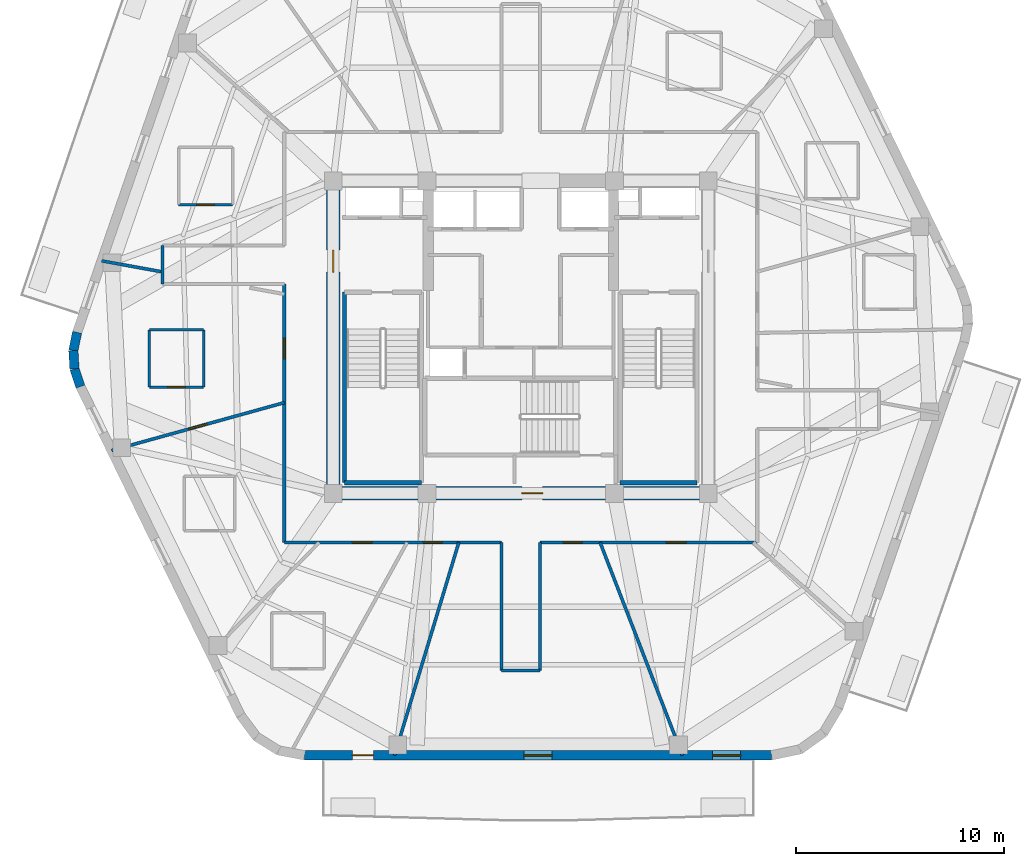
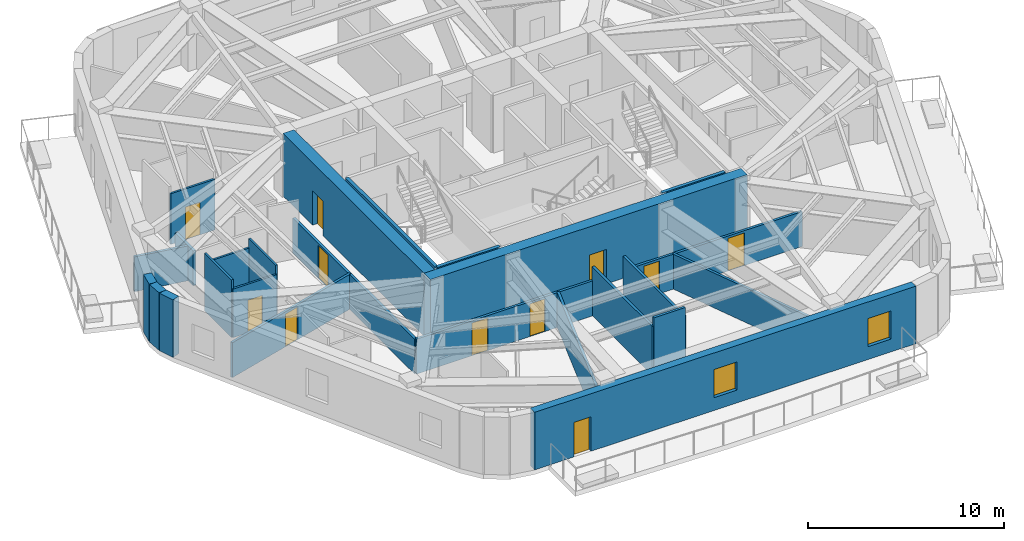
# One storey, part 3 of 9: 25 walls, 11 doors, 2 windows, 13 openings.
"""IFC4 building model written with IfcOpenShell, lengths in metres."""

from ifc_helpers import new_model, si_unit, direction, frame, frame_2d, origin, place, context, subcontext, project, spatial, rectangle, extrude, material, layer, layer_set, type_object, element, fill, save


model = new_model("IFC4")

# Units and contexts
model_context = context("Model", 3, precision=1e-05, world=origin(), true_north=direction((0.0, 1.0)))
body_context = subcontext(model_context, "Body", "Model", "MODEL_VIEW")
ifc_project = project(units=[si_unit("LENGTHUNIT", "METRE"), si_unit("AREAUNIT", "SQUARE_METRE"), si_unit("VOLUMEUNIT", "CUBIC_METRE"), si_unit("PLANEANGLEUNIT", "RADIAN"), si_unit("MASSUNIT", "GRAM", prefix="KILO")], contexts=[model_context])

# Site, building, storey
site_placement = place(None, origin())
site = spatial("IfcSite", under=ifc_project, at=site_placement, CompositionType="ELEMENT")
building_placement = place(site_placement, origin())
building = spatial("IfcBuilding", under=site, at=building_placement, Name="Kilnhurst Terrace Hotel", CompositionType="ELEMENT")
storey_placement = place(building_placement, frame((0.0, 0.0, 301.5)))
storey = spatial("IfcBuildingStorey", under=building, at=storey_placement, Name="L75", CompositionType="ELEMENT", Elevation=301.5)

# Walls
ifc_material_1 = material(Name="Precast concrete C40/50", Category="concrete")
ifc_layer_1 = layer(ifc_material_1, 0.449951171875, Name="Precast concrete C40/50")
ifc_layer_set_1 = layer_set([ifc_layer_1], Name="Precast concrete C40/50")
wall_type_1 = type_object("IfcWallType", Name="WL-BRK-450", PredefinedType="SOLIDWALL", material=ifc_layer_set_1)
wall_1_placement = place(storey_placement, frame((-21.297607421875, 0.2333984375, 0.0), z_axis=(0.0, 0.0, 1.0), x_axis=(-0.199158176661, -0.979967356941, 0.0)))
element("IfcWall", 1, at=wall_1_placement, inside=storey, type_object=wall_type_1, Name="L75 Rounded Corner Brick Wall C6.1", PredefinedType="SOLIDWALL", context=body_context, shape_type="SweptSolid", body=[
    extrude(rectangle(XDim=0.894775390625, YDim=0.449951171875, at=frame_2d((0.447265625, 0.0))), origin(), (0.0, 0.0, 1.0), 3.580078125),
])
wall_2_placement = place(storey_placement, frame((-21.475830078125, -0.6435546875, 0.0), z_axis=(0.0, 0.0, 1.0), x_axis=(0.061031097918, -0.998135865044, 0.0)))
element("IfcWall", 2, at=wall_2_placement, inside=storey, type_object=wall_type_1, Name="L75 Rounded Corner Brick Wall C6.2", PredefinedType="SOLIDWALL", context=body_context, shape_type="SweptSolid", body=[
    extrude(rectangle(XDim=0.880126953125, YDim=0.449951171875, at=frame_2d((0.43994140625, 0.0))), origin(), (0.0, 0.0, 1.0), 3.580078125),
])
wall_3_placement = place(storey_placement, frame((-21.422119140625, -1.52197265625, 0.0), z_axis=(0.0, 0.0, 1.0), x_axis=(0.316964162323, -0.94843751497, 0.0)))
element("IfcWall", 3, at=wall_3_placement, inside=storey, type_object=wall_type_1, Name="L75 Rounded Corner Brick Wall C6.3", PredefinedType="SOLIDWALL", context=body_context, shape_type="SweptSolid", body=[
    extrude(rectangle(XDim=0.89501953125, YDim=0.449951171875, at=frame_2d((0.447509765625, 0.0))), origin(), (0.0, 0.0, 1.0), 3.580078125),
])

# Wall, openings, door, windows
wall_4_placement = place(storey_placement, frame((-10.37890625, -20.074951171875, 0.0), z_axis=(0.0, 0.0, 1.0), x_axis=(1.0, 0.0, 0.0)))
wall_4 = element("IfcWall", 4, at=wall_4_placement, inside=storey, type_object=wall_type_1, Name="L75 Exterior Brick Facade Wall F1", PredefinedType="SOLIDWALL", context=body_context, shape_type="SweptSolid", body=[
    extrude(rectangle(XDim=22.417236328125, YDim=0.449951171875, at=frame_2d((11.20849609375, 0.0))), origin(), (0.0, 0.0, 1.0), 3.580078125),
])
opening_1_placement = place(wall_4_placement, frame((2.302001953125, 0.0, 0.0)))
opening_1 = element("IfcOpeningElement", 5, at=opening_1_placement, cuts=wall_4, Name="Opening BD-1000", PredefinedType="OPENING", context=body_context, shape_type="SweptSolid", body=[
    extrude(rectangle(XDim=1.0, YDim=2.14990234375, at=frame_2d((0.5, 1.074951171875))), frame((0.0, 0.23486328125, 0.0), z_axis=(0.0, -1.0, 0.0), x_axis=(1.0, 0.0, 0.0)), (0.0, 0.0, 1.0), 0.469970703125),
])
opening_2_placement = place(wall_4_placement, frame((10.533935546875, 0.0, 0.800048828125)))
opening_2 = element("IfcOpeningElement", 6, at=opening_2_placement, cuts=wall_4, Name="Opening W-06", PredefinedType="OPENING", context=body_context, shape_type="SweptSolid", body=[
    extrude(rectangle(XDim=1.35009765625, YDim=1.75, at=frame_2d((0.675048828125, 0.875))), frame((0.0, 0.23486328125, 0.0), z_axis=(0.0, -1.0, 0.0), x_axis=(1.0, 0.0, 0.0)), (0.0, 0.0, 1.0), 0.469970703125),
])
opening_3_placement = place(wall_4_placement, frame((19.5869140625, 0.0, 0.800048828125)))
opening_3 = element("IfcOpeningElement", 7, at=opening_3_placement, cuts=wall_4, Name="Opening W-06", PredefinedType="OPENING", context=body_context, shape_type="SweptSolid", body=[
    extrude(rectangle(XDim=1.35009765625, YDim=1.75, at=frame_2d((0.675048828125, 0.875))), frame((0.0, 0.23486328125, 0.0), z_axis=(0.0, -1.0, 0.0), x_axis=(1.0, 0.0, 0.0)), (0.0, 0.0, 1.0), 0.469970703125),
])
ifc_material_2 = material(Name="Thermally Broken Bronze Aluminium Alloy 6063-T6 and Laminated Glass", Category="aluminium")
door_type_1 = type_object("IfcDoorType", Name="DR-EXT-BAL-1000", OperationType="NOTDEFINED", PredefinedType="DOOR", material=ifc_material_2)
door_1_placement = place(opening_1_placement, origin())
door_1 = element("IfcDoor", 8, at=door_1_placement, inside=storey, type_object=door_type_1, Name="L75 Planted Balcony Door BAL-L1A", OperationType="SINGLE_SWING_LEFT", OverallHeight=2.14990234375, OverallWidth=1.0, PredefinedType="DOOR", context=body_context, shape_type="SweptSolid", body=[
    extrude(rectangle(XDim=1.0, YDim=2.14990234375, at=frame_2d((0.5, 1.074951171875))), frame((0.0, 0.02490234375, 0.0), z_axis=(0.0, -1.0, 0.0), x_axis=(1.0, 0.0, 0.0)), (0.0, 0.0, 1.0), 0.050048828125),
])
fill(opening_1, door_1)
ifc_material_3 = material(Name="Thermally Broken Bronze Aluminium Alloy 6063-T6 and Low-E Glass", Category="aluminium")
window_type = type_object("IfcWindowType", Name="WIN-1350X1750", PartitioningType="SINGLE_PANEL", PredefinedType="WINDOW", material=ifc_material_3)
window_1_placement = place(opening_2_placement, origin())
window_1 = element("IfcWindow", 9, at=window_1_placement, inside=storey, type_object=window_type, Name="L75 Deep-Set Masonry Window F1.1", OverallHeight=1.75, OverallWidth=1.35009765625, PartitioningType="SINGLE_PANEL", PredefinedType="WINDOW", context=body_context, shape_type="SweptSolid", body=[
    extrude(rectangle(XDim=1.35009765625, YDim=1.75, at=frame_2d((0.675048828125, 0.875))), frame((0.0, 0.030029296875, 0.0), z_axis=(0.0, -1.0, 0.0), x_axis=(1.0, 0.0, 0.0)), (0.0, 0.0, 1.0), 0.06005859375),
])
fill(opening_2, window_1)
window_2_placement = place(opening_3_placement, origin())
window_2 = element("IfcWindow", 10, at=window_2_placement, inside=storey, type_object=window_type, Name="L75 Deep-Set Masonry Window F1.2", OverallHeight=1.75, OverallWidth=1.35009765625, PartitioningType="SINGLE_PANEL", PredefinedType="WINDOW", context=body_context, shape_type="SweptSolid", body=[
    extrude(rectangle(XDim=1.35009765625, YDim=1.75, at=frame_2d((0.675048828125, 0.875))), frame((0.0, 0.030029296875, 0.0), z_axis=(0.0, -1.0, 0.0), x_axis=(1.0, 0.0, 0.0)), (0.0, 0.0, 1.0), 0.06005859375),
])
fill(opening_3, window_2)

# Wall, opening, door
ifc_material_4 = material(Name="Acoustic Double-Gypsum Corridor Partition Assembly")
ifc_layer_2 = layer(ifc_material_4, 0.14990234375, Name="Acoustic Double-Gypsum Corridor Partition Assembly")
ifc_layer_set_2 = layer_set([ifc_layer_2], Name="Acoustic Double-Gypsum Corridor Partition Assembly")
wall_type_2 = type_object("IfcWallType", Name="WL-COR-150", PredefinedType="PARTITIONING", material=ifc_layer_set_2)
wall_5_placement = place(storey_placement, frame((-11.35009765625, -9.85009765625, 0.0), z_axis=(0.0, 0.0, 1.0), x_axis=(0.0, 1.0, 0.0)))
wall_5 = element("IfcWall", 11, at=wall_5_placement, inside=storey, type_object=wall_type_2, Name="L75 Interior Wall WL-L75-COR-01", PredefinedType="PARTITIONING", context=body_context, shape_type="SweptSolid", body=[
    extrude(rectangle(XDim=12.400146484375, YDim=0.14990234375, at=frame_2d((6.2001953125, 0.0))), origin(), (0.0, 0.0, 1.0), 2.169921875),
])
opening_4_placement = place(wall_5_placement, frame((8.81005859375, 0.0, 0.0)))
opening_4 = element("IfcOpeningElement", 12, at=opening_4_placement, cuts=wall_5, Name="Opening D-60A", PredefinedType="OPENING", context=body_context, shape_type="SweptSolid", body=[
    extrude(rectangle(XDim=1.0, YDim=2.030029296875, at=frame_2d((0.5, 1.01513671875))), frame((0.0, 0.0849609375, 0.0), z_axis=(0.0, -1.0, 0.0), x_axis=(1.0, 0.0, 0.0)), (0.0, 0.0, 1.0), 0.169921875),
])
ifc_material_5 = material(Name="Acoustic Walnut Veneer Solid-Core Fire Door")
door_type_2 = type_object("IfcDoorType", Name="DR-FD60-1000", OperationType="NOTDEFINED", PredefinedType="DOOR", material=ifc_material_5)
door_2_placement = place(opening_4_placement, origin())
door_2 = element("IfcDoor", 13, at=door_2_placement, inside=storey, type_object=door_type_2, Name="L75 Sky Residence Entry Door 8", OperationType="SINGLE_SWING_RIGHT", OverallHeight=2.030029296875, OverallWidth=1.0, PredefinedType="DOOR", context=body_context, shape_type="SweptSolid", body=[
    extrude(rectangle(XDim=1.0, YDim=2.030029296875, at=frame_2d((0.5, 1.01513671875))), frame((0.0, 0.02490234375, 0.0), z_axis=(0.0, -1.0, 0.0), x_axis=(1.0, 0.0, 0.0)), (0.0, 0.0, 1.0), 0.050048828125),
])
fill(opening_4, door_2)

# Wall
wall_6_placement = place(storey_placement, frame((-17.199951171875, 2.550048828125, 0.0), z_axis=(0.0, 0.0, 1.0), x_axis=(0.0, 1.0, 0.0)))
element("IfcWall", 14, at=wall_6_placement, inside=storey, type_object=wall_type_2, Name="L75 Interior Wall WL-L75-COR-03", PredefinedType="PARTITIONING", context=body_context, shape_type="SweptSolid", body=[
    extrude(rectangle(XDim=1.849853515625, YDim=0.14990234375, at=frame_2d((0.9248046875, 0.0))), origin(), (0.0, 0.0, 1.0), 2.169921875),
])

# Wall, openings, doors
wall_7_placement = place(storey_placement, frame((11.35009765625, -9.85009765625, 0.0), z_axis=(0.0, 0.0, 1.0), x_axis=(-1.0, 0.0, 0.0)))
wall_7 = element("IfcWall", 15, at=wall_7_placement, inside=storey, type_object=wall_type_2, Name="L75 Interior Wall WL-L75-COR-16", PredefinedType="PARTITIONING", context=body_context, shape_type="SweptSolid", body=[
    extrude(rectangle(XDim=10.43017578125, YDim=0.14990234375, at=frame_2d((5.215087890625, 0.0))), origin(), (0.0, 0.0, 1.0), 2.169921875),
])
opening_5_placement = place(wall_7_placement, frame((8.406982421875, 0.0, 0.0)))
opening_5 = element("IfcOpeningElement", 16, at=opening_5_placement, cuts=wall_7, Name="Opening D-60C", PredefinedType="OPENING", context=body_context, shape_type="SweptSolid", body=[
    extrude(rectangle(XDim=0.89990234375, YDim=2.030029296875, at=frame_2d((0.449951171875, 1.01513671875))), frame((0.0, 0.0849609375, 0.0), z_axis=(0.0, -1.0, 0.0), x_axis=(1.0, 0.0, 0.0)), (0.0, 0.0, 1.0), 0.169921875),
])
opening_6_placement = place(wall_7_placement, frame((3.416015625, 0.0, 0.0)))
opening_6 = element("IfcOpeningElement", 17, at=opening_6_placement, cuts=wall_7, Name="Opening D-60B", PredefinedType="OPENING", context=body_context, shape_type="SweptSolid", body=[
    extrude(rectangle(XDim=0.949951171875, YDim=2.030029296875, at=frame_2d((0.47509765625, 1.01513671875))), frame((0.0, 0.0849609375, 0.0), z_axis=(0.0, -1.0, 0.0), x_axis=(1.0, 0.0, 0.0)), (0.0, 0.0, 1.0), 0.169921875),
])
ifc_material_6 = material(Name="Painted Solid-Core Service Fire Door")
door_type_3 = type_object("IfcDoorType", Name="DR-FD60-900", OperationType="NOTDEFINED", PredefinedType="DOOR", material=ifc_material_6)
door_3_placement = place(opening_5_placement, origin())
door_3 = element("IfcDoor", 18, at=door_3_placement, inside=storey, type_object=door_type_3, Name="L75 Wellness Consultation Room Door 12", OperationType="SINGLE_SWING_RIGHT", OverallHeight=2.030029296875, OverallWidth=0.89990234375, PredefinedType="DOOR", context=body_context, shape_type="SweptSolid", body=[
    extrude(rectangle(XDim=0.89990234375, YDim=2.030029296875, at=frame_2d((0.449951171875, 1.01513671875))), frame((0.0, 0.02490234375, 0.0), z_axis=(0.0, -1.0, 0.0), x_axis=(1.0, 0.0, 0.0)), (0.0, 0.0, 1.0), 0.050048828125),
])
fill(opening_5, door_3)
door_type_4 = type_object("IfcDoorType", Name="DR-FD60-950", OperationType="NOTDEFINED", PredefinedType="DOOR", material=ifc_material_5)
door_4_placement = place(opening_6_placement, origin())
door_4 = element("IfcDoor", 19, at=door_4_placement, inside=storey, type_object=door_type_4, Name="L75 Summit Horizon Club Lounge Door", OperationType="SINGLE_SWING_LEFT", OverallHeight=2.030029296875, OverallWidth=0.949951171875, PredefinedType="DOOR", context=body_context, shape_type="SweptSolid", body=[
    extrude(rectangle(XDim=0.949951171875, YDim=2.030029296875, at=frame_2d((0.47509765625, 1.01513671875))), frame((0.0, 0.02490234375, 0.0), z_axis=(0.0, -1.0, 0.0), x_axis=(1.0, 0.0, 0.0)), (0.0, 0.0, 1.0), 0.050048828125),
])
fill(opening_6, door_4)

# Walls
wall_8_placement = place(storey_placement, frame((0.919921875, -9.85009765625, 0.0), z_axis=(0.0, 0.0, 1.0), x_axis=(0.0, -1.0, 0.0)))
element("IfcWall", 20, at=wall_8_placement, inside=storey, type_object=wall_type_2, Name="L75 Interior Wall WL-L75-COR-17", PredefinedType="PARTITIONING", context=body_context, shape_type="SweptSolid", body=[
    extrude(rectangle(XDim=6.14990234375, YDim=0.14990234375, at=frame_2d((3.074951171875, 0.0))), origin(), (0.0, 0.0, 1.0), 3.0205078125),
])
wall_9_placement = place(storey_placement, frame((0.919921875, -16.0, 0.0), z_axis=(0.0, 0.0, 1.0), x_axis=(-1.0, 0.0, 0.0)))
element("IfcWall", 21, at=wall_9_placement, inside=storey, type_object=wall_type_2, Name="L75 Interior Wall WL-L75-COR-18", PredefinedType="PARTITIONING", context=body_context, shape_type="SweptSolid", body=[
    extrude(rectangle(XDim=1.83984375, YDim=0.14990234375, at=frame_2d((0.919921875, 0.0))), origin(), (0.0, 0.0, 1.0), 3.580078125),
])
wall_10_placement = place(storey_placement, frame((-0.919921875, -16.0, 0.0), z_axis=(0.0, 0.0, 1.0), x_axis=(0.0, 1.0, 0.0)))
element("IfcWall", 22, at=wall_10_placement, inside=storey, type_object=wall_type_2, Name="L75 Interior Wall WL-L75-COR-19", PredefinedType="PARTITIONING", context=body_context, shape_type="SweptSolid", body=[
    extrude(rectangle(XDim=6.14990234375, YDim=0.14990234375, at=frame_2d((3.074951171875, 0.0))), origin(), (0.0, 0.0, 1.0), 3.0205078125),
])

# Wall, openings, doors
wall_11_placement = place(storey_placement, frame((-0.919921875, -9.85009765625, 0.0), z_axis=(0.0, 0.0, 1.0), x_axis=(-1.0, 0.0, 0.0)))
wall_11 = element("IfcWall", 23, at=wall_11_placement, inside=storey, type_object=wall_type_2, Name="L75 Interior Wall WL-L75-COR-20", PredefinedType="PARTITIONING", context=body_context, shape_type="SweptSolid", body=[
    extrude(rectangle(XDim=10.43017578125, YDim=0.14990234375, at=frame_2d((5.215087890625, 0.0))), origin(), (0.0, 0.0, 1.0), 2.169921875),
])
opening_7_placement = place(wall_11_placement, frame((6.216064453125, 0.0, 0.0)))
opening_7 = element("IfcOpeningElement", 24, at=opening_7_placement, cuts=wall_11, Name="Opening D-60B", PredefinedType="OPENING", context=body_context, shape_type="SweptSolid", body=[
    extrude(rectangle(XDim=0.949951171875, YDim=2.030029296875, at=frame_2d((0.47509765625, 1.01513671875))), frame((0.0, 0.0849609375, 0.0), z_axis=(0.0, -1.0, 0.0), x_axis=(1.0, 0.0, 0.0)), (0.0, 0.0, 1.0), 0.169921875),
])
opening_8_placement = place(wall_11_placement, frame((2.860107421875, 0.0, 0.0)))
opening_8 = element("IfcOpeningElement", 25, at=opening_8_placement, cuts=wall_11, Name="Opening D-60C", PredefinedType="OPENING", context=body_context, shape_type="SweptSolid", body=[
    extrude(rectangle(XDim=0.89990234375, YDim=2.030029296875, at=frame_2d((0.449951171875, 1.01513671875))), frame((0.0, 0.0849609375, 0.0), z_axis=(0.0, -1.0, 0.0), x_axis=(1.0, 0.0, 0.0)), (0.0, 0.0, 1.0), 0.169921875),
])
door_5_placement = place(opening_8_placement, origin())
door_5 = element("IfcDoor", 26, at=door_5_placement, inside=storey, type_object=door_type_3, Name="L75 Private Meeting Salon Door 11", OperationType="SINGLE_SWING_LEFT", OverallHeight=2.030029296875, OverallWidth=0.89990234375, PredefinedType="DOOR", context=body_context, shape_type="SweptSolid", body=[
    extrude(rectangle(XDim=0.89990234375, YDim=2.030029296875, at=frame_2d((0.449951171875, 1.01513671875))), frame((0.0, 0.02490234375, 0.0), z_axis=(0.0, -1.0, 0.0), x_axis=(1.0, 0.0, 0.0)), (0.0, 0.0, 1.0), 0.050048828125),
])
fill(opening_8, door_5)
door_6_placement = place(opening_7_placement, origin())
door_6 = element("IfcDoor", 27, at=door_6_placement, inside=storey, type_object=door_type_4, Name="L75 Guest Room Entry Door 10", OperationType="SINGLE_SWING_RIGHT", OverallHeight=2.030029296875, OverallWidth=0.949951171875, PredefinedType="DOOR", context=body_context, shape_type="SweptSolid", body=[
    extrude(rectangle(XDim=0.949951171875, YDim=2.030029296875, at=frame_2d((0.47509765625, 1.01513671875))), frame((0.0, 0.02490234375, 0.0), z_axis=(0.0, -1.0, 0.0), x_axis=(1.0, 0.0, 0.0)), (0.0, 0.0, 1.0), 0.050048828125),
])
fill(opening_7, door_6)

# Wall, opening, door
ifc_material_7 = material(Name="Concrete C60/75", Category="concrete")
ifc_layer_3 = layer(ifc_material_7, 0.64990234375, Name="Concrete C60/75")
ifc_layer_set_3 = layer_set([ifc_layer_3], Name="Concrete C60/75")
wall_type_3 = type_object("IfcWallType", Name="WL-CORE-650", PredefinedType="SHEAR", material=ifc_layer_set_3)
wall_12_placement = place(storey_placement, frame((-9.324951171875, -7.5, 0.0), z_axis=(0.0, 0.0, 1.0), x_axis=(1.0, 0.0, 0.0)))
wall_12 = element("IfcWall", 28, at=wall_12_placement, inside=storey, type_object=wall_type_3, Name="L75 Core South Shear Wall", PredefinedType="SHEAR", context=body_context, shape_type="SweptSolid", body=[
    extrude(rectangle(XDim=18.64990234375, YDim=0.64990234375, at=frame_2d((9.324951171875, 0.0))), origin(), (0.0, 0.0, 1.0), 3.89990234375),
])
opening_9_placement = place(wall_12_placement, frame((9.375, 0.0, 0.0)))
opening_9 = element("IfcOpeningElement", 29, at=opening_9_placement, cuts=wall_12, Name="Opening D-90B", PredefinedType="OPENING", context=body_context, shape_type="SweptSolid", body=[
    extrude(rectangle(XDim=1.0, YDim=2.14990234375, at=frame_2d((0.5, 1.074951171875))), frame((0.0, 0.3349609375, 0.0), z_axis=(0.0, -1.0, 0.0), x_axis=(1.0, 0.0, 0.0)), (0.0, 0.0, 1.0), 0.669921875),
])
ifc_material_8 = material(Name="Painted Hollow Metal Steel ASTM A36 Fire Door", Category="steel")
door_type_5 = type_object("IfcDoorType", Name="DR-FD90-1000", OperationType="NOTDEFINED", PredefinedType="DOOR", material=ifc_material_8)
door_7_placement = place(opening_9_placement, origin())
door_7 = element("IfcDoor", 30, at=door_7_placement, inside=storey, type_object=door_type_5, Name="L75 Stair ST-3 Corridor Door", OperationType="SINGLE_SWING_RIGHT", OverallHeight=2.14990234375, OverallWidth=1.0, PredefinedType="DOOR", context=body_context, shape_type="SweptSolid", body=[
    extrude(rectangle(XDim=1.0, YDim=2.14990234375, at=frame_2d((0.5, 1.074951171875))), frame((0.0, 0.02490234375, 0.0), z_axis=(0.0, -1.0, 0.0), x_axis=(1.0, 0.0, 0.0)), (0.0, 0.0, 1.0), 0.050048828125),
])
fill(opening_9, door_7)

wall_13_placement = place(storey_placement, frame((-9.0, -7.175048828125, 0.0), z_axis=(0.0, 0.0, 1.0), x_axis=(0.0, 1.0, 0.0)))
wall_13 = element("IfcWall", 31, at=wall_13_placement, inside=storey, type_object=wall_type_3, Name="L75 Core West Shear Wall", PredefinedType="SHEAR", context=body_context, shape_type="SweptSolid", body=[
    extrude(rectangle(XDim=14.35009765625, YDim=0.64990234375, at=frame_2d((7.175048828125, 0.0))), origin(), (0.0, 0.0, 1.0), 3.89990234375),
])
opening_10_placement = place(wall_13_placement, frame((10.300048828125, 0.0, 0.0)))
opening_10 = element("IfcOpeningElement", 32, at=opening_10_placement, cuts=wall_13, Name="Opening D-90A", PredefinedType="OPENING", context=body_context, shape_type="SweptSolid", body=[
    extrude(rectangle(XDim=1.050048828125, YDim=2.14990234375, at=frame_2d((0.52490234375, 1.074951171875))), frame((0.0, 0.3349609375, 0.0), z_axis=(0.0, -1.0, 0.0), x_axis=(1.0, 0.0, 0.0)), (0.0, 0.0, 1.0), 0.669921875),
])
door_type_6 = type_object("IfcDoorType", Name="DR-FD90-1050", OperationType="NOTDEFINED", PredefinedType="DOOR", material=ifc_material_8)
door_8_placement = place(opening_10_placement, origin())
door_8 = element("IfcDoor", 33, at=door_8_placement, inside=storey, type_object=door_type_6, Name="L75 West Firefighting Lobby Door", OperationType="SINGLE_SWING_RIGHT", OverallHeight=2.14990234375, OverallWidth=1.050048828125, PredefinedType="DOOR", context=body_context, shape_type="SweptSolid", body=[
    extrude(rectangle(XDim=1.050048828125, YDim=2.14990234375, at=frame_2d((0.52490234375, 1.074951171875))), frame((0.0, 0.02490234375, 0.0), z_axis=(0.0, -1.0, 0.0), x_axis=(1.0, 0.0, 0.0)), (0.0, 0.0, 1.0), 0.050048828125),
])
fill(opening_10, door_8)

# Wall
ifc_material_9 = material(Name="STC-58 Acoustic Twin-Frame Guestroom Demising Partition")
ifc_layer_4 = layer(ifc_material_9, 0.14990234375, Name="STC-58 Acoustic Twin-Frame Guestroom Demising Partition")
ifc_layer_set_4 = layer_set([ifc_layer_4], Name="STC-58 Acoustic Twin-Frame Guestroom Demising Partition")
wall_type_4 = type_object("IfcWallType", Name="WL-DEM-150", PredefinedType="PARTITIONING", material=ifc_layer_set_4)
wall_14_placement = place(storey_placement, frame((-17.199951171875, 3.132568359375, 0.0), z_axis=(0.0, 0.0, 1.0), x_axis=(-0.983817168797, 0.179175272791, 0.0)))
element("IfcWall", 34, at=wall_14_placement, inside=storey, type_object=wall_type_4, Name="L75 Interior Wall WL-L75-DEM-COL06-08-2", PredefinedType="PARTITIONING", context=body_context, shape_type="SweptSolid", body=[
    extrude(rectangle(XDim=2.965087890625, YDim=0.14990234375, at=frame_2d((1.482421875, 0.0))), origin(), (0.0, 0.0, 1.0), 2.169921875),
])

# Wall, opening, door
wall_15_placement = place(storey_placement, frame((-11.35009765625, -3.142822265625, 0.0), z_axis=(0.0, 0.0, 1.0), x_axis=(-0.963731818141, -0.266872596386, 0.0)))
wall_15 = element("IfcWall", 35, at=wall_15_placement, inside=storey, type_object=wall_type_4, Name="L75 Interior Wall WL-L75-DEM-COL07-09-1", PredefinedType="PARTITIONING", context=body_context, shape_type="SweptSolid", body=[
    extrude(rectangle(XDim=8.604736328125, YDim=0.14990234375, at=frame_2d((4.30224609375, 0.0))), origin(), (0.0, 0.0, 1.0), 2.169921875),
])
opening_11_placement = place(wall_15_placement, frame((3.85205078125, 0.0, 0.0)))
opening_11 = element("IfcOpeningElement", 36, at=opening_11_placement, cuts=wall_15, Name="Opening D-09B", PredefinedType="OPENING", context=body_context, shape_type="SweptSolid", body=[
    extrude(rectangle(XDim=0.89990234375, YDim=2.030029296875, at=frame_2d((0.449951171875, 1.01513671875))), frame((0.0, 0.0849609375, 0.0), z_axis=(0.0, -1.0, 0.0), x_axis=(1.0, 0.0, 0.0)), (0.0, 0.0, 1.0), 0.169921875),
])
ifc_material_10 = material(Name="Moisture-Resistant Solid-Core Restroom Door")
door_type_7 = type_object("IfcDoorType", Name="DR-INT-900", OperationType="NOTDEFINED", PredefinedType="DOOR", material=ifc_material_10)
door_9_placement = place(opening_11_placement, origin())
door_9 = element("IfcDoor", 37, at=door_9_placement, inside=storey, type_object=door_type_7, Name="L75 Sky Residence Bedroom Door 8", OperationType="SINGLE_SWING_RIGHT", OverallHeight=2.030029296875, OverallWidth=0.89990234375, PredefinedType="DOOR", context=body_context, shape_type="SweptSolid", body=[
    extrude(rectangle(XDim=0.89990234375, YDim=2.030029296875, at=frame_2d((0.449951171875, 1.01513671875))), frame((0.0, 0.02490234375, 0.0), z_axis=(0.0, -1.0, 0.0), x_axis=(1.0, 0.0, 0.0)), (0.0, 0.0, 1.0), 0.050048828125),
])
fill(opening_11, door_9)

# Walls
wall_16_placement = place(storey_placement, frame((-2.97216796875, -9.85009765625, 0.0), z_axis=(0.0, 0.0, 1.0), x_axis=(-0.288872169679, -0.957367677324, 0.0)))
element("IfcWall", 38, at=wall_16_placement, inside=storey, type_object=wall_type_4, Name="L75 Interior Wall WL-L75-DEM-COL09-12-1", PredefinedType="PARTITIONING", context=body_context, shape_type="SweptSolid", body=[
    extrude(rectangle(XDim=10.68017578125, YDim=0.14990234375, at=frame_2d((5.340087890625, 0.0))), origin(), (0.0, 0.0, 1.0), 2.169921875),
])
wall_17_placement = place(storey_placement, frame((3.8076171875, -9.85009765625, 0.0), z_axis=(0.0, 0.0, 1.0), x_axis=(0.360587327934, -0.932725457427, 0.0)))
element("IfcWall", 39, at=wall_17_placement, inside=storey, type_object=wall_type_4, Name="L75 Interior Wall WL-L75-DEM-COL10-13-1", PredefinedType="PARTITIONING", context=body_context, shape_type="SweptSolid", body=[
    extrude(rectangle(XDim=10.96240234375, YDim=0.14990234375, at=frame_2d((5.481201171875, 0.0))), origin(), (0.0, 0.0, 1.0), 2.169921875),
])

# Wall, opening, door
ifc_material_11 = material(Name="120 mm Moisture-Resistant Tile-Backed Bathroom Partition")
ifc_layer_5 = layer(ifc_material_11, 0.1201171875, Name="120 mm Moisture-Resistant Tile-Backed Bathroom Partition")
ifc_layer_set_5 = layer_set([ifc_layer_5], Name="120 mm Moisture-Resistant Tile-Backed Bathroom Partition")
wall_type_5 = type_object("IfcWallType", Name="WL-PART-120", PredefinedType="PARTITIONING", material=ifc_layer_set_5)
wall_18_placement = place(storey_placement, frame((-16.427978515625, 6.35888671875, 0.0), z_axis=(0.0, 0.0, 1.0), x_axis=(1.0, 0.0, 0.0)))
wall_18 = element("IfcWall", 40, at=wall_18_placement, inside=storey, type_object=wall_type_5, Name="L75 Interior Wall WL-L75-BTH-07-1", PredefinedType="PARTITIONING", context=body_context, shape_type="SweptSolid", body=[
    extrude(rectangle(XDim=2.60009765625, YDim=0.1201171875, at=frame_2d((1.300048828125, 0.0))), origin(), (0.0, 0.0, 1.0), 3.15234375),
])
opening_12_placement = place(wall_18_placement, frame((0.875, 0.0, 0.0)))
opening_12 = element("IfcOpeningElement", 41, at=opening_12_placement, cuts=wall_18, Name="Opening D-08A", PredefinedType="OPENING", context=body_context, shape_type="SweptSolid", body=[
    extrude(rectangle(XDim=0.85009765625, YDim=2.030029296875, at=frame_2d((0.425048828125, 1.01513671875))), frame((0.0, 0.070068359375, 0.0), z_axis=(0.0, -1.0, 0.0), x_axis=(1.0, 0.0, 0.0)), (0.0, 0.0, 1.0), 0.14013671875),
])
ifc_material_12 = material(Name="Moisture-Resistant Lacquered En-suite Bathroom Door")
door_type_8 = type_object("IfcDoorType", Name="DR-INT-850", OperationType="NOTDEFINED", PredefinedType="DOOR", material=ifc_material_12)
door_10_placement = place(opening_12_placement, origin())
door_10 = element("IfcDoor", 42, at=door_10_placement, inside=storey, type_object=door_type_8, Name="L75 En-suite Bathroom Door 7", OperationType="SINGLE_SWING_RIGHT", OverallHeight=2.030029296875, OverallWidth=0.85009765625, PredefinedType="DOOR", context=body_context, shape_type="SweptSolid", body=[
    extrude(rectangle(XDim=0.85009765625, YDim=2.030029296875, at=frame_2d((0.425048828125, 1.01513671875))), frame((0.0, 0.02490234375, 0.0), z_axis=(0.0, -1.0, 0.0), x_axis=(1.0, 0.0, 0.0)), (0.0, 0.0, 1.0), 0.050048828125),
])
fill(opening_12, door_10)

wall_19_placement = place(storey_placement, frame((-17.824951171875, -2.39404296875, 0.0), z_axis=(0.0, 0.0, 1.0), x_axis=(1.0, 0.0, 0.0)))
wall_19 = element("IfcWall", 43, at=wall_19_placement, inside=storey, type_object=wall_type_5, Name="L75 Interior Wall WL-L75-KIT-08-1", PredefinedType="PARTITIONING", context=body_context, shape_type="SweptSolid", body=[
    extrude(rectangle(XDim=2.599853515625, YDim=0.1201171875, at=frame_2d((1.2998046875, 0.0))), origin(), (0.0, 0.0, 1.0), 3.0205078125),
])
opening_13_placement = place(wall_19_placement, frame((0.875, 0.0, 0.0)))
opening_13 = element("IfcOpeningElement", 44, at=opening_13_placement, cuts=wall_19, Name="Opening D-08A", PredefinedType="OPENING", context=body_context, shape_type="SweptSolid", body=[
    extrude(rectangle(XDim=0.85009765625, YDim=2.030029296875, at=frame_2d((0.425048828125, 1.01513671875))), frame((0.0, 0.070068359375, 0.0), z_axis=(0.0, -1.0, 0.0), x_axis=(1.0, 0.0, 0.0)), (0.0, 0.0, 1.0), 0.14013671875),
])
door_11_placement = place(opening_13_placement, origin())
door_11 = element("IfcDoor", 45, at=door_11_placement, inside=storey, type_object=door_type_8, Name="L75 Sky Residence Kitchen Door 8", OperationType="SINGLE_SWING_RIGHT", OverallHeight=2.030029296875, OverallWidth=0.85009765625, PredefinedType="DOOR", context=body_context, shape_type="SweptSolid", body=[
    extrude(rectangle(XDim=0.85009765625, YDim=2.030029296875, at=frame_2d((0.425048828125, 1.01513671875))), frame((0.0, 0.02490234375, 0.0), z_axis=(0.0, -1.0, 0.0), x_axis=(1.0, 0.0, 0.0)), (0.0, 0.0, 1.0), 0.050048828125),
])
fill(opening_13, door_11)

# Walls
wall_20_placement = place(storey_placement, frame((-15.22509765625, -2.39404296875, 0.0), z_axis=(0.0, 0.0, 1.0), x_axis=(0.0, 1.0, 0.0)))
element("IfcWall", 46, at=wall_20_placement, inside=storey, type_object=wall_type_5, Name="L75 Interior Wall WL-L75-KIT-08-2", PredefinedType="PARTITIONING", context=body_context, shape_type="SweptSolid", body=[
    extrude(rectangle(XDim=2.75, YDim=0.1201171875, at=frame_2d((1.375, 0.0))), origin(), (0.0, 0.0, 1.0), 3.580078125),
])
wall_21_placement = place(storey_placement, frame((-15.22509765625, 0.35595703125, 0.0), z_axis=(0.0, 0.0, 1.0), x_axis=(-1.0, 0.0, 0.0)))
element("IfcWall", 47, at=wall_21_placement, inside=storey, type_object=wall_type_5, Name="L75 Interior Wall WL-L75-KIT-08-3", PredefinedType="PARTITIONING", context=body_context, shape_type="SweptSolid", body=[
    extrude(rectangle(XDim=2.599853515625, YDim=0.1201171875, at=frame_2d((1.2998046875, 0.0))), origin(), (0.0, 0.0, 1.0), 3.0205078125),
])
wall_22_placement = place(storey_placement, frame((-17.824951171875, 0.35595703125, 0.0), z_axis=(0.0, 0.0, 1.0), x_axis=(0.0, -1.0, 0.0)))
element("IfcWall", 48, at=wall_22_placement, inside=storey, type_object=wall_type_5, Name="L75 Interior Wall WL-L75-KIT-08-4", PredefinedType="PARTITIONING", context=body_context, shape_type="SweptSolid", body=[
    extrude(rectangle(XDim=2.75, YDim=0.1201171875, at=frame_2d((1.375, 0.0))), origin(), (0.0, 0.0, 1.0), 3.580078125),
])
ifc_material_13 = material(Name="Concrete C50/60", Category="concrete")
ifc_layer_6 = layer(ifc_material_13, 0.199951171875, Name="Concrete C50/60")
ifc_layer_set_6 = layer_set([ifc_layer_6], Name="Concrete C50/60")
wall_type_6 = type_object("IfcWallType", Name="WL-STAIR-RC-200", PredefinedType="SHEAR", material=ifc_layer_set_6)
wall_23_placement = place(storey_placement, frame((-8.4580078125, -6.985107421875, 0.0), z_axis=(0.0, 0.0, 1.0), x_axis=(0.0, 1.0, 0.0)))
element("IfcWall", 49, at=wall_23_placement, inside=storey, type_object=wall_type_6, Name="L75 Structural Stair Shaft Wall WL-L75-ST1-W", PredefinedType="SHEAR", context=body_context, shape_type="SweptSolid", body=[
    extrude(rectangle(XDim=9.14306640625, YDim=0.199951171875, at=frame_2d((4.571533203125, 0.0))), origin(), (0.0, 0.0, 1.0), 3.89990234375),
])
for number, where, z_axis, x_axis, name in (
    (50, (-8.4580078125, -6.985107421875, 0.0), (0.0, 0.0, 1.0), (1.0, 0.0, 0.0), "L75 Structural Stair Shaft Wall WL-L75-ST1-S"),
    (51, (4.77197265625, -6.985107421875, 0.0), (0.0, 0.0, 1.0), (1.0, 0.0, 0.0), "L75 Structural Stair Shaft Wall WL-L75-ST2-S"),
):
    element("IfcWall", number, at=place(storey_placement, frame(where, z_axis=z_axis, x_axis=x_axis)), inside=storey, type_object=wall_type_6, Name=name, PredefinedType="SHEAR", context=body_context, shape_type="SweptSolid", body=[
        extrude(rectangle(XDim=3.68603515625, YDim=0.199951171875, at=frame_2d((1.843017578125, 0.0))), origin(), (0.0, 0.0, 1.0), 3.89990234375),
    ])

save(model, "model.ifc")
